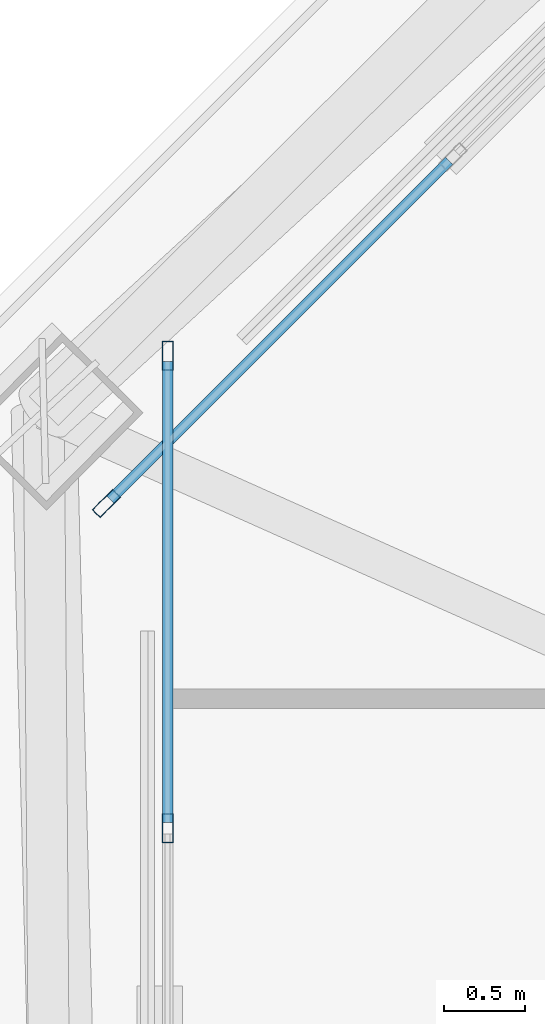
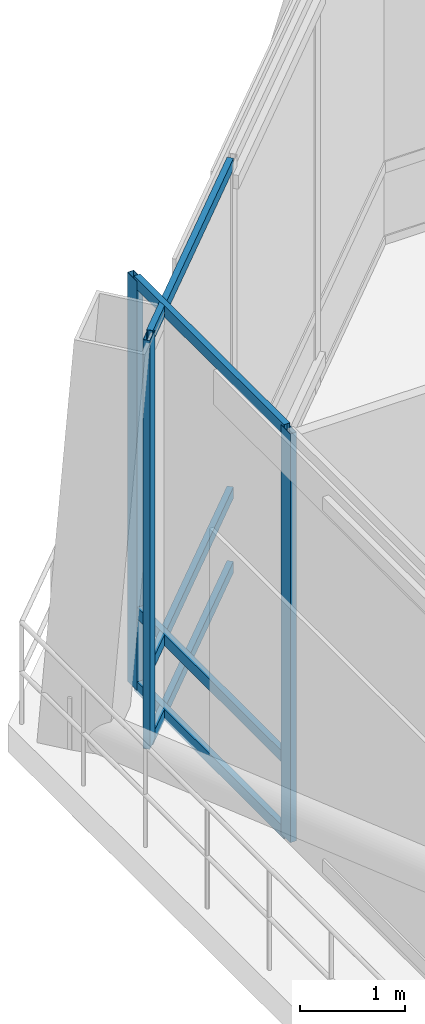
# One storey, part 17 of 34: 9 members, 2 elements without a shape of their own.
"""IFC4 building model written with IfcOpenShell, lengths in metres."""

from ifc_helpers import new_model, si_unit, direction, frame, origin, origin_2d, place, context, subcontext, project, spatial, hollow_rectangle, extrude, material, layer, layer_set, material_profile, profile_set, type_object, element, aggregate, save


model = new_model("IFC4")

# Units and contexts
model_context = context("Model", 3, precision=1e-05, world=origin(), true_north=direction((0.0, 1.0)))
body_context = subcontext(model_context, "Body", "Model", "MODEL_VIEW")
ifc_project = project(units=[si_unit("LENGTHUNIT", "METRE"), si_unit("AREAUNIT", "SQUARE_METRE"), si_unit("VOLUMEUNIT", "CUBIC_METRE"), si_unit("PLANEANGLEUNIT", "RADIAN"), si_unit("MASSUNIT", "GRAM", prefix="KILO")], contexts=[model_context])

# Site, building, storey
site_placement = place(None, origin())
site = spatial("IfcSite", under=ifc_project, at=site_placement, CompositionType="ELEMENT")
building_placement = place(site_placement, origin())
building = spatial("IfcBuilding", under=site, at=building_placement, Name="Caelvoria Tower", CompositionType="ELEMENT")
storey_placement = place(building_placement, frame((0.0, 0.0, 172.0)))
storey = spatial("IfcBuildingStorey", under=building, at=storey_placement, Name="L45", CompositionType="ELEMENT", Elevation=172.0)

# Curtain wall, member
ifc_material_1 = material(Name="Anodised Bronze Aluminium and Low-E Glass", Category="aluminium")
ifc_layer = layer(ifc_material_1, 0.2099609375, Name="Anodised Bronze Aluminium and Low-E Glass")
ifc_layer_set = layer_set([ifc_layer], Name="CW System 3 Sky Lobby Double-Height Acoustic Facade - Anodised Bronze Aluminium and Low-E Glass")
curtain_wall_type = type_object("IfcCurtainWallType", Name="CW System 3 Sky Lobby Double-Height Acoustic Facade", PredefinedType="NOTDEFINED", material=ifc_layer_set)
curtain_wall_1_placement = place(storey_placement, origin())
curtain_wall_1 = element("IfcCurtainWall", 1, at=curtain_wall_1_placement, inside=storey, type_object=curtain_wall_type, Name="CW-03 Curtain Wall L45-E5", PredefinedType="NOTDEFINED")
ifc_material_2 = material(Name="Anodised Bronze Architectural Aluminium", Category="aluminium")
ifc_material_profile_1 = material_profile(ifc_material_2, hollow_rectangle(XDim=0.070068359375, YDim=0.179931640625, WallThickness=0.00390625, at=origin_2d()), Name="Anodised Bronze Architectural Aluminium")
ifc_profile_set_1 = profile_set([ifc_material_profile_1], Name="CW_MULL_70X180 - Anodised Bronze Architectural Aluminium")
member_type_1 = type_object("IfcMemberType", Name="Curtain Wall Mullion 70x180 Bronze Aluminium", PredefinedType="MULLION", material=ifc_profile_set_1)
member_1_placement = place(storey_placement, frame((22.98046875, 45.868896484375, 0.0), z_axis=(0.0, 0.0, 1.0), x_axis=(0.707106781187, -0.707106781187, 0.0)))
member_1 = element("IfcMember", 2, at=member_1_placement, type_object=member_type_1, Name="CW-03 mullion 4", PredefinedType="MULLION", context=body_context, shape_type="SweptSolid", body=[
    extrude(hollow_rectangle(XDim=0.070068359375, YDim=0.179931640625, WallThickness=0.00390625, at=origin_2d()), origin(), (0.0, 0.0, 1.0), 4.760009765625),
])

# Curtain wall, members
curtain_wall_2_placement = place(storey_placement, origin())
curtain_wall_2 = element("IfcCurtainWall", 3, at=curtain_wall_2_placement, inside=storey, type_object=curtain_wall_type, Name="CW-03 Curtain Wall L45-E6", PredefinedType="NOTDEFINED")
member_2_placement = place(storey_placement, frame((23.360107421875, 46.784912109375, 0.0), z_axis=(0.0, 0.0, 1.0), x_axis=(1.0, 0.0, 0.0)))
member_2 = element("IfcMember", 4, at=member_2_placement, type_object=member_type_1, Name="CW-03 mullion 1", PredefinedType="MULLION", context=body_context, shape_type="SweptSolid", body=[
    extrude(hollow_rectangle(XDim=0.070068359375, YDim=0.179931640625, WallThickness=0.00390625, at=origin_2d()), origin(), (0.0, 0.0, 1.0), 4.760009765625),
])
member_3_placement = place(storey_placement, frame((23.360107421875, 43.85595703125, 0.0), z_axis=(0.0, 0.0, 1.0), x_axis=(1.0, 0.0, 0.0)))
member_3 = element("IfcMember", 5, at=member_3_placement, type_object=member_type_1, Name="CW-03 mullion 2", PredefinedType="MULLION", context=body_context, shape_type="SweptSolid", body=[
    extrude(hollow_rectangle(XDim=0.070068359375, YDim=0.179931640625, WallThickness=0.00390625, at=origin_2d()), origin(), (0.0, 0.0, 1.0), 4.760009765625),
])

# Member
ifc_material_profile_2 = material_profile(ifc_material_2, hollow_rectangle(XDim=0.06494140625, YDim=0.1298828125, WallThickness=0.00341796875, at=origin_2d()), Name="Anodised Bronze Architectural Aluminium")
ifc_profile_set_2 = profile_set([ifc_material_profile_2], Name="CW_TRAN_65X130 - Anodised Bronze Architectural Aluminium")
member_type_2 = type_object("IfcMemberType", Name="Curtain Wall Transom 65x130 Bronze Aluminium", PredefinedType="USERDEFINED", material=ifc_profile_set_2)
member_4_placement = place(storey_placement, frame((25.1044921875, 47.99267578125, 0.032470703125), z_axis=(-0.707147902804, -0.707065657177, 0.0), x_axis=(0.707065657177, -0.707147902804, 0.0)))
member_4 = element("IfcMember", 6, at=member_4_placement, type_object=member_type_2, Name="CW-03 transom 3.1", ObjectType="TRANSOM", PredefinedType="USERDEFINED", context=body_context, shape_type="SweptSolid", body=[
    extrude(hollow_rectangle(XDim=0.06494140625, YDim=0.1298828125, WallThickness=0.00341796875, at=origin_2d()), origin(), (0.0, 0.0, 1.0), 2.968505859375),
])

member_5_placement = place(storey_placement, frame((25.1044921875, 47.99267578125, 0.89990234375), z_axis=(-0.707147902804, -0.707065657177, 0.0), x_axis=(0.707065657177, -0.707147902804, 0.0)))
member_5 = element("IfcMember", 7, at=member_5_placement, type_object=member_type_2, Name="CW-03 transom 3.2", ObjectType="TRANSOM", PredefinedType="USERDEFINED", context=body_context, shape_type="SweptSolid", body=[
    extrude(hollow_rectangle(XDim=0.06494140625, YDim=0.1298828125, WallThickness=0.00341796875, at=origin_2d()), origin(), (0.0, 0.0, 1.0), 2.968505859375),
])

member_6_placement = place(storey_placement, frame((25.1044921875, 47.99267578125, 4.7275390625), z_axis=(-0.707147902804, -0.707065657177, 0.0), x_axis=(0.707065657177, -0.707147902804, 0.0)))
member_6 = element("IfcMember", 8, at=member_6_placement, type_object=member_type_2, Name="CW-03 transom 3.3", ObjectType="TRANSOM", PredefinedType="USERDEFINED", context=body_context, shape_type="SweptSolid", body=[
    extrude(hollow_rectangle(XDim=0.06494140625, YDim=0.1298828125, WallThickness=0.00341796875, at=origin_2d()), origin(), (0.0, 0.0, 1.0), 2.968505859375),
])

aggregate(curtain_wall_1, [member_1, member_4, member_5, member_6])

member_7_placement = place(storey_placement, frame((23.360107421875, 46.75, 0.032470703125), z_axis=(0.0, -1.0, 0.0), x_axis=(1.0, 0.0, 0.0)))
member_7 = element("IfcMember", 9, at=member_7_placement, type_object=member_type_2, Name="CW-03 transom 1.1", ObjectType="TRANSOM", PredefinedType="USERDEFINED", context=body_context, shape_type="SweptSolid", body=[
    extrude(hollow_rectangle(XDim=0.06494140625, YDim=0.1298828125, WallThickness=0.00341796875, at=origin_2d()), origin(), (0.0, 0.0, 1.0), 2.85888671875),
])

member_8_placement = place(storey_placement, frame((23.360107421875, 46.75, 0.89990234375), z_axis=(0.0, -1.0, 0.0), x_axis=(1.0, 0.0, 0.0)))
member_8 = element("IfcMember", 10, at=member_8_placement, type_object=member_type_2, Name="CW-03 transom 1.2", ObjectType="TRANSOM", PredefinedType="USERDEFINED", context=body_context, shape_type="SweptSolid", body=[
    extrude(hollow_rectangle(XDim=0.06494140625, YDim=0.1298828125, WallThickness=0.00341796875, at=origin_2d()), origin(), (0.0, 0.0, 1.0), 2.85888671875),
])

member_9_placement = place(storey_placement, frame((23.360107421875, 46.75, 4.7275390625), z_axis=(0.0, -1.0, 0.0), x_axis=(1.0, 0.0, 0.0)))
member_9 = element("IfcMember", 11, at=member_9_placement, type_object=member_type_2, Name="CW-03 transom 1.3", ObjectType="TRANSOM", PredefinedType="USERDEFINED", context=body_context, shape_type="SweptSolid", body=[
    extrude(hollow_rectangle(XDim=0.06494140625, YDim=0.1298828125, WallThickness=0.00341796875, at=origin_2d()), origin(), (0.0, 0.0, 1.0), 2.85888671875),
])

aggregate(curtain_wall_2, [member_2, member_3, member_7, member_8, member_9])

save(model, "model.ifc")
